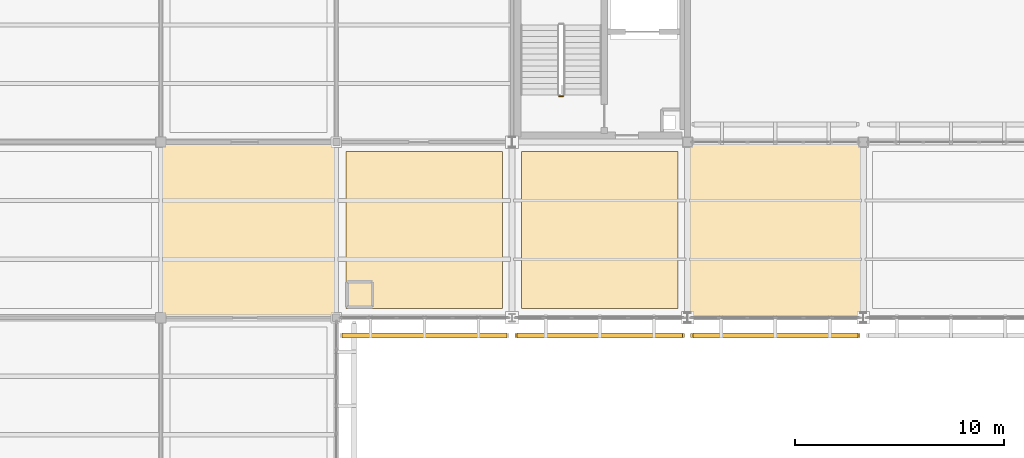
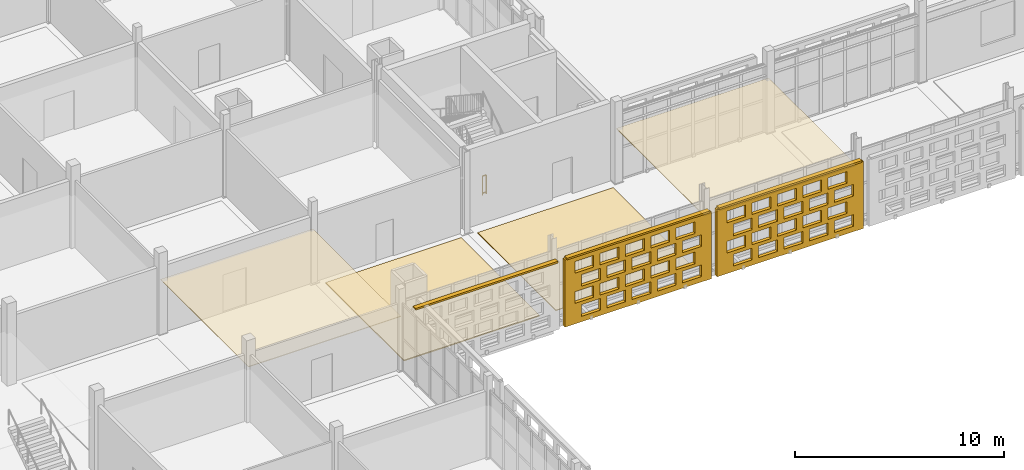
# One storey, part 160 of 203: 6 coverings, 3 shading devices, 1 railing, 40 openings.
"""IFC4 building model written with IfcOpenShell, lengths in metres."""

from ifc_helpers import new_model, si_unit, direction, frame, frame_2d, origin, origin_2d, place, context, subcontext, project, spatial, rectangle, circle, extrude, material, layer, layer_set, type_object, element, save


model = new_model("IFC4")

# Units and contexts
model_context = context("Model", 3, precision=1e-05, world=origin(), true_north=direction((0.0, 1.0)))
body_context = subcontext(model_context, "Body", "Model", "MODEL_VIEW")
ifc_project = project(units=[si_unit("LENGTHUNIT", "METRE"), si_unit("AREAUNIT", "SQUARE_METRE"), si_unit("VOLUMEUNIT", "CUBIC_METRE"), si_unit("PLANEANGLEUNIT", "RADIAN"), si_unit("MASSUNIT", "GRAM", prefix="KILO")], contexts=[model_context])

# Site, building, storey
site_placement = place(None, origin())
site = spatial("IfcSite", under=ifc_project, at=site_placement, CompositionType="ELEMENT")
building_placement = place(site_placement, origin())
building = spatial("IfcBuilding", under=site, at=building_placement, Name="Varnapada Polytechnic", CompositionType="ELEMENT")
storey_placement = place(building_placement, frame((0.0, 0.0, 4.800048828125)))
storey = spatial("IfcBuildingStorey", under=building, at=storey_placement, Name="L01", CompositionType="ELEMENT", Elevation=4.800048828125)

# Coverings
ifc_material_1 = material(Name="Anti-Static Raised Laboratory Flooring")
ifc_layer_1 = layer(ifc_material_1, 0.06005859375)
ifc_layer_set_1 = layer_set([ifc_layer_1], Name="Anti-Static Raised Laboratory Flooring")
covering_type_1 = type_object("IfcCoveringType", Name="Floor Finish FLR-02", PredefinedType="FLOORING", material=ifc_layer_set_1)
covering_1_placement = place(storey_placement, frame((46.199951171875, 88.199951171875, 0.0), z_axis=(0.0, 0.0, 1.0), x_axis=(1.0, 0.0, 0.0)))
element("IfcCovering", 1, at=covering_1_placement, inside=storey, type_object=covering_type_1, Name="L01 floor finish panel (6,11)", PredefinedType="FLOORING", context=body_context, shape_type="SweptSolid", body=[
    extrude(rectangle(XDim=7.5, YDim=7.5, at=origin_2d()), origin(), (0.0, 0.0, 1.0), 0.06005859375),
])
ifc_material_2 = material(Name="Acoustic Rubber Seminar Flooring")
ifc_layer_2 = layer(ifc_material_2, 0.0400390625)
ifc_layer_set_2 = layer_set([ifc_layer_2], Name="Acoustic Rubber Seminar Flooring")
covering_type_2 = type_object("IfcCoveringType", Name="Floor Finish FLR-06", PredefinedType="FLOORING", material=ifc_layer_set_2)
covering_2_placement = place(storey_placement, frame((54.60009765625, 88.199951171875, 0.0), z_axis=(0.0, 0.0, 1.0), x_axis=(1.0, 0.0, 0.0)))
element("IfcCovering", 2, at=covering_2_placement, inside=storey, type_object=covering_type_2, Name="L01 floor finish panel (7,11)", PredefinedType="FLOORING", context=body_context, shape_type="SweptSolid", body=[
    extrude(rectangle(XDim=7.5, YDim=7.5, at=origin_2d()), origin(), (0.0, 0.0, 1.0), 0.0400390625),
])

# Railing
ifc_material_3 = material(Name="Brushed Stainless Steel 316", Category="steel")
railing_type = type_object("IfcRailingType", Name="Stair Well Guard Rail SGR-01", PredefinedType="BALUSTRADE", material=ifc_material_3)
railing_placement = place(storey_placement, frame((52.85009765625, 94.60009765625, 0.0)))
element("IfcRailing", 3, at=railing_placement, inside=storey, type_object=railing_type, Name="L01 ST-4 stair guard 4", PredefinedType="BALUSTRADE", context=body_context, shape_type="SweptSolid", body=[
    extrude(circle(Radius=0.02392578125, at=origin_2d()), frame((0.0, 0.0, 1.09619140625), z_axis=(-1.0, 0.0, 0.0), x_axis=(0.0, -1.0, 0.0)), (0.0, 0.0, 1.0), 0.2001953125),
    extrude(circle(Radius=0.02392578125, at=origin_2d()), frame((0.0, 0.0, 0.10009765625), z_axis=(-1.0, 0.0, 0.0), x_axis=(0.0, -1.0, 0.0)), (0.0, 0.0, 1.0), 0.2001953125),
    extrude(circle(Radius=0.02099609375, at=origin_2d()), origin(), (0.0, 0.0, 1.0), 1.072021484375),
    extrude(circle(Radius=0.02099609375, at=origin_2d()), frame((-0.2001953125, 0.0, 0.0)), (0.0, 0.0, 1.0), 1.072021484375),
])

# Coverings
ifc_material_4 = material(Name="Mineral Fibre Acoustic Ceiling Tile")
ifc_layer_3 = layer(ifc_material_4, 0.0400390625)
ifc_layer_set_3 = layer_set([ifc_layer_3], Name="Mineral Fibre Acoustic Ceiling Tile")
covering_type_3 = type_object("IfcCoveringType", Name="Suspended Ceiling CLG-01", PredefinedType="CEILING", material=ifc_layer_set_3)
for number, where, z_axis, x_axis, name in (
    (4, (37.800048828125, 88.199951171875, 3.030029296875), (0.0, 0.0, 1.0), (1.0, 0.0, 0.0), "L01 suspended acoustic ceiling (5,11)"),
    (5, (63.0, 88.199951171875, 3.030029296875), (0.0, 0.0, 1.0), (1.0, 0.0, 0.0), "L01 suspended acoustic ceiling (8,11)"),
):
    element("IfcCovering", number, at=place(storey_placement, frame(where, z_axis=z_axis, x_axis=x_axis)), inside=storey, type_object=covering_type_3, Name=name, PredefinedType="CEILING", context=body_context, shape_type="SweptSolid", body=[
        extrude(rectangle(XDim=8.419921875, YDim=8.419921875, at=origin_2d()), origin(), (0.0, 0.0, 1.0), 0.0400390625),
    ])

# Covering, openings
ifc_material_5 = material(Name="Earth-toned architectural terracotta screen block", Category="masonry")
ifc_layer_4 = layer(ifc_material_5, 0.1201171875)
ifc_layer_set_4 = layer_set([ifc_layer_4], Name="Earth-toned architectural terracotta screen block")
covering_type_4 = type_object("IfcCoveringType", Name="Terracotta Screen Cladding CLD-01", PredefinedType="CLADDING", material=ifc_layer_set_4)
covering_3_placement = place(storey_placement, frame((58.64990234375, 83.14990234375, 0.0), z_axis=(0.0, 0.0, 1.0), x_axis=(-1.0, 0.0, 0.0)))
covering_3 = element("IfcCovering", 6, at=covering_3_placement, inside=storey, type_object=covering_type_4, Name="L01 perforated terracotta block screen (48)", PredefinedType="CLADDING", context=body_context, shape_type="SweptSolid", body=[
    extrude(rectangle(XDim=8.099853515625, YDim=0.179931640625, at=frame_2d((4.0498046875, 0.0))), origin(), (0.0, 0.0, 1.0), 3.919921875),
])
opening_1_placement = place(covering_3_placement, frame((0.550048828125, 0.0, 0.313720703125)))
element("IfcOpeningElement", 7, at=opening_1_placement, cuts=covering_3, Name="Screen perforation TBS-L01-047.1", PredefinedType="OPENING", context=body_context, shape_type="SweptSolid", body=[
    extrude(rectangle(XDim=1.0400390625, YDim=0.679931640625, at=frame_2d((0.52001953125, 0.33984375))), frame((0.0, 0.099853515625, 0.0), z_axis=(0.0, -1.0, 0.0), x_axis=(1.0, 0.0, 0.0)), (0.0, 0.0, 1.0), 0.199951171875),
])
opening_2_placement = place(covering_3_placement, frame((1.949951171875, 0.0, 0.313720703125)))
element("IfcOpeningElement", 8, at=opening_2_placement, cuts=covering_3, Name="Screen perforation TBS-L01-047.2", PredefinedType="OPENING", context=body_context, shape_type="SweptSolid", body=[
    extrude(rectangle(XDim=1.0400390625, YDim=0.679931640625, at=frame_2d((0.52001953125, 0.33984375))), frame((0.0, 0.099853515625, 0.0), z_axis=(0.0, -1.0, 0.0), x_axis=(1.0, 0.0, 0.0)), (0.0, 0.0, 1.0), 0.199951171875),
])
opening_3_placement = place(covering_3_placement, frame((3.35009765625, 0.0, 0.313720703125)))
element("IfcOpeningElement", 9, at=opening_3_placement, cuts=covering_3, Name="Screen perforation TBS-L01-047.3", PredefinedType="OPENING", context=body_context, shape_type="SweptSolid", body=[
    extrude(rectangle(XDim=1.0400390625, YDim=0.679931640625, at=frame_2d((0.52001953125, 0.33984375))), frame((0.0, 0.099853515625, 0.0), z_axis=(0.0, -1.0, 0.0), x_axis=(1.0, 0.0, 0.0)), (0.0, 0.0, 1.0), 0.199951171875),
])
opening_4_placement = place(covering_3_placement, frame((4.75, 0.0, 0.313720703125)))
element("IfcOpeningElement", 10, at=opening_4_placement, cuts=covering_3, Name="Screen perforation TBS-L01-047.4", PredefinedType="OPENING", context=body_context, shape_type="SweptSolid", body=[
    extrude(rectangle(XDim=1.0400390625, YDim=0.679931640625, at=frame_2d((0.52001953125, 0.33984375))), frame((0.0, 0.099853515625, 0.0), z_axis=(0.0, -1.0, 0.0), x_axis=(1.0, 0.0, 0.0)), (0.0, 0.0, 1.0), 0.199951171875),
])
opening_5_placement = place(covering_3_placement, frame((6.14990234375, 0.0, 0.313720703125)))
element("IfcOpeningElement", 11, at=opening_5_placement, cuts=covering_3, Name="Screen perforation TBS-L01-047.5", PredefinedType="OPENING", context=body_context, shape_type="SweptSolid", body=[
    extrude(rectangle(XDim=1.0400390625, YDim=0.679931640625, at=frame_2d((0.52001953125, 0.33984375))), frame((0.0, 0.099853515625, 0.0), z_axis=(0.0, -1.0, 0.0), x_axis=(1.0, 0.0, 0.0)), (0.0, 0.0, 1.0), 0.199951171875),
])
opening_6_placement = place(covering_3_placement, frame((0.909912109375, 0.0, 1.195556640625)))
element("IfcOpeningElement", 12, at=opening_6_placement, cuts=covering_3, Name="Screen perforation TBS-L01-047.6", PredefinedType="OPENING", context=body_context, shape_type="SweptSolid", body=[
    extrude(rectangle(XDim=1.0400390625, YDim=0.679931640625, at=frame_2d((0.52001953125, 0.33984375))), frame((0.0, 0.099853515625, 0.0), z_axis=(0.0, -1.0, 0.0), x_axis=(1.0, 0.0, 0.0)), (0.0, 0.0, 1.0), 0.199951171875),
])
opening_7_placement = place(covering_3_placement, frame((2.31005859375, 0.0, 1.195556640625)))
element("IfcOpeningElement", 13, at=opening_7_placement, cuts=covering_3, Name="Screen perforation TBS-L01-047.7", PredefinedType="OPENING", context=body_context, shape_type="SweptSolid", body=[
    extrude(rectangle(XDim=1.0400390625, YDim=0.679931640625, at=frame_2d((0.52001953125, 0.33984375))), frame((0.0, 0.099853515625, 0.0), z_axis=(0.0, -1.0, 0.0), x_axis=(1.0, 0.0, 0.0)), (0.0, 0.0, 1.0), 0.199951171875),
])
opening_8_placement = place(covering_3_placement, frame((3.7099609375, 0.0, 1.195556640625)))
element("IfcOpeningElement", 14, at=opening_8_placement, cuts=covering_3, Name="Screen perforation TBS-L01-047.8", PredefinedType="OPENING", context=body_context, shape_type="SweptSolid", body=[
    extrude(rectangle(XDim=1.0400390625, YDim=0.679931640625, at=frame_2d((0.52001953125, 0.33984375))), frame((0.0, 0.099853515625, 0.0), z_axis=(0.0, -1.0, 0.0), x_axis=(1.0, 0.0, 0.0)), (0.0, 0.0, 1.0), 0.199951171875),
])
opening_9_placement = place(covering_3_placement, frame((5.110107421875, 0.0, 1.195556640625)))
element("IfcOpeningElement", 15, at=opening_9_placement, cuts=covering_3, Name="Screen perforation TBS-L01-047.9", PredefinedType="OPENING", context=body_context, shape_type="SweptSolid", body=[
    extrude(rectangle(XDim=1.0400390625, YDim=0.679931640625, at=frame_2d((0.52001953125, 0.33984375))), frame((0.0, 0.099853515625, 0.0), z_axis=(0.0, -1.0, 0.0), x_axis=(1.0, 0.0, 0.0)), (0.0, 0.0, 1.0), 0.199951171875),
])
opening_10_placement = place(covering_3_placement, frame((6.510009765625, 0.0, 1.195556640625)))
element("IfcOpeningElement", 16, at=opening_10_placement, cuts=covering_3, Name="Screen perforation TBS-L01-047.10", PredefinedType="OPENING", context=body_context, shape_type="SweptSolid", body=[
    extrude(rectangle(XDim=1.0400390625, YDim=0.679931640625, at=frame_2d((0.52001953125, 0.33984375))), frame((0.0, 0.099853515625, 0.0), z_axis=(0.0, -1.0, 0.0), x_axis=(1.0, 0.0, 0.0)), (0.0, 0.0, 1.0), 0.199951171875),
])
opening_11_placement = place(covering_3_placement, frame((0.550048828125, 0.0, 2.07763671875)))
element("IfcOpeningElement", 17, at=opening_11_placement, cuts=covering_3, Name="Screen perforation TBS-L01-047.11", PredefinedType="OPENING", context=body_context, shape_type="SweptSolid", body=[
    extrude(rectangle(XDim=1.0400390625, YDim=0.679931640625, at=frame_2d((0.52001953125, 0.33984375))), frame((0.0, 0.099853515625, 0.0), z_axis=(0.0, -1.0, 0.0), x_axis=(1.0, 0.0, 0.0)), (0.0, 0.0, 1.0), 0.199951171875),
])
opening_12_placement = place(covering_3_placement, frame((1.949951171875, 0.0, 2.07763671875)))
element("IfcOpeningElement", 18, at=opening_12_placement, cuts=covering_3, Name="Screen perforation TBS-L01-047.12", PredefinedType="OPENING", context=body_context, shape_type="SweptSolid", body=[
    extrude(rectangle(XDim=1.0400390625, YDim=0.679931640625, at=frame_2d((0.52001953125, 0.33984375))), frame((0.0, 0.099853515625, 0.0), z_axis=(0.0, -1.0, 0.0), x_axis=(1.0, 0.0, 0.0)), (0.0, 0.0, 1.0), 0.199951171875),
])
opening_13_placement = place(covering_3_placement, frame((3.35009765625, 0.0, 2.07763671875)))
element("IfcOpeningElement", 19, at=opening_13_placement, cuts=covering_3, Name="Screen perforation TBS-L01-047.13", PredefinedType="OPENING", context=body_context, shape_type="SweptSolid", body=[
    extrude(rectangle(XDim=1.0400390625, YDim=0.679931640625, at=frame_2d((0.52001953125, 0.33984375))), frame((0.0, 0.099853515625, 0.0), z_axis=(0.0, -1.0, 0.0), x_axis=(1.0, 0.0, 0.0)), (0.0, 0.0, 1.0), 0.199951171875),
])
opening_14_placement = place(covering_3_placement, frame((4.75, 0.0, 2.07763671875)))
element("IfcOpeningElement", 20, at=opening_14_placement, cuts=covering_3, Name="Screen perforation TBS-L01-047.14", PredefinedType="OPENING", context=body_context, shape_type="SweptSolid", body=[
    extrude(rectangle(XDim=1.0400390625, YDim=0.679931640625, at=frame_2d((0.52001953125, 0.33984375))), frame((0.0, 0.099853515625, 0.0), z_axis=(0.0, -1.0, 0.0), x_axis=(1.0, 0.0, 0.0)), (0.0, 0.0, 1.0), 0.199951171875),
])
opening_15_placement = place(covering_3_placement, frame((6.14990234375, 0.0, 2.07763671875)))
element("IfcOpeningElement", 21, at=opening_15_placement, cuts=covering_3, Name="Screen perforation TBS-L01-047.15", PredefinedType="OPENING", context=body_context, shape_type="SweptSolid", body=[
    extrude(rectangle(XDim=1.0400390625, YDim=0.679931640625, at=frame_2d((0.52001953125, 0.33984375))), frame((0.0, 0.099853515625, 0.0), z_axis=(0.0, -1.0, 0.0), x_axis=(1.0, 0.0, 0.0)), (0.0, 0.0, 1.0), 0.199951171875),
])
opening_16_placement = place(covering_3_placement, frame((0.909912109375, 0.0, 2.959716796875)))
element("IfcOpeningElement", 22, at=opening_16_placement, cuts=covering_3, Name="Screen perforation TBS-L01-047.16", PredefinedType="OPENING", context=body_context, shape_type="SweptSolid", body=[
    extrude(rectangle(XDim=1.0400390625, YDim=0.679931640625, at=frame_2d((0.52001953125, 0.33984375))), frame((0.0, 0.099853515625, 0.0), z_axis=(0.0, -1.0, 0.0), x_axis=(1.0, 0.0, 0.0)), (0.0, 0.0, 1.0), 0.199951171875),
])
opening_17_placement = place(covering_3_placement, frame((2.31005859375, 0.0, 2.959716796875)))
element("IfcOpeningElement", 23, at=opening_17_placement, cuts=covering_3, Name="Screen perforation TBS-L01-047.17", PredefinedType="OPENING", context=body_context, shape_type="SweptSolid", body=[
    extrude(rectangle(XDim=1.0400390625, YDim=0.679931640625, at=frame_2d((0.52001953125, 0.33984375))), frame((0.0, 0.099853515625, 0.0), z_axis=(0.0, -1.0, 0.0), x_axis=(1.0, 0.0, 0.0)), (0.0, 0.0, 1.0), 0.199951171875),
])
opening_18_placement = place(covering_3_placement, frame((3.7099609375, 0.0, 2.959716796875)))
element("IfcOpeningElement", 24, at=opening_18_placement, cuts=covering_3, Name="Screen perforation TBS-L01-047.18", PredefinedType="OPENING", context=body_context, shape_type="SweptSolid", body=[
    extrude(rectangle(XDim=1.0400390625, YDim=0.679931640625, at=frame_2d((0.52001953125, 0.33984375))), frame((0.0, 0.099853515625, 0.0), z_axis=(0.0, -1.0, 0.0), x_axis=(1.0, 0.0, 0.0)), (0.0, 0.0, 1.0), 0.199951171875),
])
opening_19_placement = place(covering_3_placement, frame((5.110107421875, 0.0, 2.959716796875)))
element("IfcOpeningElement", 25, at=opening_19_placement, cuts=covering_3, Name="Screen perforation TBS-L01-047.19", PredefinedType="OPENING", context=body_context, shape_type="SweptSolid", body=[
    extrude(rectangle(XDim=1.0400390625, YDim=0.679931640625, at=frame_2d((0.52001953125, 0.33984375))), frame((0.0, 0.099853515625, 0.0), z_axis=(0.0, -1.0, 0.0), x_axis=(1.0, 0.0, 0.0)), (0.0, 0.0, 1.0), 0.199951171875),
])
opening_20_placement = place(covering_3_placement, frame((6.510009765625, 0.0, 2.959716796875)))
element("IfcOpeningElement", 26, at=opening_20_placement, cuts=covering_3, Name="Screen perforation TBS-L01-047.20", PredefinedType="OPENING", context=body_context, shape_type="SweptSolid", body=[
    extrude(rectangle(XDim=1.0400390625, YDim=0.679931640625, at=frame_2d((0.52001953125, 0.33984375))), frame((0.0, 0.099853515625, 0.0), z_axis=(0.0, -1.0, 0.0), x_axis=(1.0, 0.0, 0.0)), (0.0, 0.0, 1.0), 0.199951171875),
])

covering_4_placement = place(storey_placement, frame((67.050048828125, 83.14990234375, 0.0), z_axis=(0.0, 0.0, 1.0), x_axis=(-1.0, 0.0, 0.0)))
covering_4 = element("IfcCovering", 27, at=covering_4_placement, inside=storey, type_object=covering_type_4, Name="L01 perforated terracotta block screen (56)", PredefinedType="CLADDING", context=body_context, shape_type="SweptSolid", body=[
    extrude(rectangle(XDim=8.10009765625, YDim=0.179931640625, at=frame_2d((4.050048828125, 0.0))), origin(), (0.0, 0.0, 1.0), 3.919921875),
])
opening_21_placement = place(covering_4_placement, frame((0.550048828125, 0.0, 0.313720703125)))
element("IfcOpeningElement", 28, at=opening_21_placement, cuts=covering_4, Name="Screen perforation TBS-L01-055.1", PredefinedType="OPENING", context=body_context, shape_type="SweptSolid", body=[
    extrude(rectangle(XDim=1.0400390625, YDim=0.679931640625, at=frame_2d((0.52001953125, 0.33984375))), frame((0.0, 0.099853515625, 0.0), z_axis=(0.0, -1.0, 0.0), x_axis=(1.0, 0.0, 0.0)), (0.0, 0.0, 1.0), 0.199951171875),
])
opening_22_placement = place(covering_4_placement, frame((1.949951171875, 0.0, 0.313720703125)))
element("IfcOpeningElement", 29, at=opening_22_placement, cuts=covering_4, Name="Screen perforation TBS-L01-055.2", PredefinedType="OPENING", context=body_context, shape_type="SweptSolid", body=[
    extrude(rectangle(XDim=1.0400390625, YDim=0.679931640625, at=frame_2d((0.52001953125, 0.33984375))), frame((0.0, 0.099853515625, 0.0), z_axis=(0.0, -1.0, 0.0), x_axis=(1.0, 0.0, 0.0)), (0.0, 0.0, 1.0), 0.199951171875),
])
opening_23_placement = place(covering_4_placement, frame((3.35009765625, 0.0, 0.313720703125)))
element("IfcOpeningElement", 30, at=opening_23_placement, cuts=covering_4, Name="Screen perforation TBS-L01-055.3", PredefinedType="OPENING", context=body_context, shape_type="SweptSolid", body=[
    extrude(rectangle(XDim=1.0400390625, YDim=0.679931640625, at=frame_2d((0.52001953125, 0.33984375))), frame((0.0, 0.099853515625, 0.0), z_axis=(0.0, -1.0, 0.0), x_axis=(1.0, 0.0, 0.0)), (0.0, 0.0, 1.0), 0.199951171875),
])
opening_24_placement = place(covering_4_placement, frame((4.75, 0.0, 0.313720703125)))
element("IfcOpeningElement", 31, at=opening_24_placement, cuts=covering_4, Name="Screen perforation TBS-L01-055.4", PredefinedType="OPENING", context=body_context, shape_type="SweptSolid", body=[
    extrude(rectangle(XDim=1.0400390625, YDim=0.679931640625, at=frame_2d((0.52001953125, 0.33984375))), frame((0.0, 0.099853515625, 0.0), z_axis=(0.0, -1.0, 0.0), x_axis=(1.0, 0.0, 0.0)), (0.0, 0.0, 1.0), 0.199951171875),
])
opening_25_placement = place(covering_4_placement, frame((6.14990234375, 0.0, 0.313720703125)))
element("IfcOpeningElement", 32, at=opening_25_placement, cuts=covering_4, Name="Screen perforation TBS-L01-055.5", PredefinedType="OPENING", context=body_context, shape_type="SweptSolid", body=[
    extrude(rectangle(XDim=1.0400390625, YDim=0.679931640625, at=frame_2d((0.52001953125, 0.33984375))), frame((0.0, 0.099853515625, 0.0), z_axis=(0.0, -1.0, 0.0), x_axis=(1.0, 0.0, 0.0)), (0.0, 0.0, 1.0), 0.199951171875),
])
opening_26_placement = place(covering_4_placement, frame((0.909912109375, 0.0, 1.195556640625)))
element("IfcOpeningElement", 33, at=opening_26_placement, cuts=covering_4, Name="Screen perforation TBS-L01-055.6", PredefinedType="OPENING", context=body_context, shape_type="SweptSolid", body=[
    extrude(rectangle(XDim=1.0400390625, YDim=0.679931640625, at=frame_2d((0.52001953125, 0.33984375))), frame((0.0, 0.099853515625, 0.0), z_axis=(0.0, -1.0, 0.0), x_axis=(1.0, 0.0, 0.0)), (0.0, 0.0, 1.0), 0.199951171875),
])
opening_27_placement = place(covering_4_placement, frame((2.31005859375, 0.0, 1.195556640625)))
element("IfcOpeningElement", 34, at=opening_27_placement, cuts=covering_4, Name="Screen perforation TBS-L01-055.7", PredefinedType="OPENING", context=body_context, shape_type="SweptSolid", body=[
    extrude(rectangle(XDim=1.0400390625, YDim=0.679931640625, at=frame_2d((0.52001953125, 0.33984375))), frame((0.0, 0.099853515625, 0.0), z_axis=(0.0, -1.0, 0.0), x_axis=(1.0, 0.0, 0.0)), (0.0, 0.0, 1.0), 0.199951171875),
])
opening_28_placement = place(covering_4_placement, frame((3.7099609375, 0.0, 1.195556640625)))
element("IfcOpeningElement", 35, at=opening_28_placement, cuts=covering_4, Name="Screen perforation TBS-L01-055.8", PredefinedType="OPENING", context=body_context, shape_type="SweptSolid", body=[
    extrude(rectangle(XDim=1.0400390625, YDim=0.679931640625, at=frame_2d((0.52001953125, 0.33984375))), frame((0.0, 0.099853515625, 0.0), z_axis=(0.0, -1.0, 0.0), x_axis=(1.0, 0.0, 0.0)), (0.0, 0.0, 1.0), 0.199951171875),
])
opening_29_placement = place(covering_4_placement, frame((5.110107421875, 0.0, 1.195556640625)))
element("IfcOpeningElement", 36, at=opening_29_placement, cuts=covering_4, Name="Screen perforation TBS-L01-055.9", PredefinedType="OPENING", context=body_context, shape_type="SweptSolid", body=[
    extrude(rectangle(XDim=1.0400390625, YDim=0.679931640625, at=frame_2d((0.52001953125, 0.33984375))), frame((0.0, 0.099853515625, 0.0), z_axis=(0.0, -1.0, 0.0), x_axis=(1.0, 0.0, 0.0)), (0.0, 0.0, 1.0), 0.199951171875),
])
opening_30_placement = place(covering_4_placement, frame((6.510009765625, 0.0, 1.195556640625)))
element("IfcOpeningElement", 37, at=opening_30_placement, cuts=covering_4, Name="Screen perforation TBS-L01-055.10", PredefinedType="OPENING", context=body_context, shape_type="SweptSolid", body=[
    extrude(rectangle(XDim=1.0400390625, YDim=0.679931640625, at=frame_2d((0.52001953125, 0.33984375))), frame((0.0, 0.099853515625, 0.0), z_axis=(0.0, -1.0, 0.0), x_axis=(1.0, 0.0, 0.0)), (0.0, 0.0, 1.0), 0.199951171875),
])
opening_31_placement = place(covering_4_placement, frame((0.550048828125, 0.0, 2.07763671875)))
element("IfcOpeningElement", 38, at=opening_31_placement, cuts=covering_4, Name="Screen perforation TBS-L01-055.11", PredefinedType="OPENING", context=body_context, shape_type="SweptSolid", body=[
    extrude(rectangle(XDim=1.0400390625, YDim=0.679931640625, at=frame_2d((0.52001953125, 0.33984375))), frame((0.0, 0.099853515625, 0.0), z_axis=(0.0, -1.0, 0.0), x_axis=(1.0, 0.0, 0.0)), (0.0, 0.0, 1.0), 0.199951171875),
])
opening_32_placement = place(covering_4_placement, frame((1.949951171875, 0.0, 2.07763671875)))
element("IfcOpeningElement", 39, at=opening_32_placement, cuts=covering_4, Name="Screen perforation TBS-L01-055.12", PredefinedType="OPENING", context=body_context, shape_type="SweptSolid", body=[
    extrude(rectangle(XDim=1.0400390625, YDim=0.679931640625, at=frame_2d((0.52001953125, 0.33984375))), frame((0.0, 0.099853515625, 0.0), z_axis=(0.0, -1.0, 0.0), x_axis=(1.0, 0.0, 0.0)), (0.0, 0.0, 1.0), 0.199951171875),
])
opening_33_placement = place(covering_4_placement, frame((3.35009765625, 0.0, 2.07763671875)))
element("IfcOpeningElement", 40, at=opening_33_placement, cuts=covering_4, Name="Screen perforation TBS-L01-055.13", PredefinedType="OPENING", context=body_context, shape_type="SweptSolid", body=[
    extrude(rectangle(XDim=1.0400390625, YDim=0.679931640625, at=frame_2d((0.52001953125, 0.33984375))), frame((0.0, 0.099853515625, 0.0), z_axis=(0.0, -1.0, 0.0), x_axis=(1.0, 0.0, 0.0)), (0.0, 0.0, 1.0), 0.199951171875),
])
opening_34_placement = place(covering_4_placement, frame((4.75, 0.0, 2.07763671875)))
element("IfcOpeningElement", 41, at=opening_34_placement, cuts=covering_4, Name="Screen perforation TBS-L01-055.14", PredefinedType="OPENING", context=body_context, shape_type="SweptSolid", body=[
    extrude(rectangle(XDim=1.0400390625, YDim=0.679931640625, at=frame_2d((0.52001953125, 0.33984375))), frame((0.0, 0.099853515625, 0.0), z_axis=(0.0, -1.0, 0.0), x_axis=(1.0, 0.0, 0.0)), (0.0, 0.0, 1.0), 0.199951171875),
])
opening_35_placement = place(covering_4_placement, frame((6.14990234375, 0.0, 2.07763671875)))
element("IfcOpeningElement", 42, at=opening_35_placement, cuts=covering_4, Name="Screen perforation TBS-L01-055.15", PredefinedType="OPENING", context=body_context, shape_type="SweptSolid", body=[
    extrude(rectangle(XDim=1.0400390625, YDim=0.679931640625, at=frame_2d((0.52001953125, 0.33984375))), frame((0.0, 0.099853515625, 0.0), z_axis=(0.0, -1.0, 0.0), x_axis=(1.0, 0.0, 0.0)), (0.0, 0.0, 1.0), 0.199951171875),
])
opening_36_placement = place(covering_4_placement, frame((0.909912109375, 0.0, 2.959716796875)))
element("IfcOpeningElement", 43, at=opening_36_placement, cuts=covering_4, Name="Screen perforation TBS-L01-055.16", PredefinedType="OPENING", context=body_context, shape_type="SweptSolid", body=[
    extrude(rectangle(XDim=1.0400390625, YDim=0.679931640625, at=frame_2d((0.52001953125, 0.33984375))), frame((0.0, 0.099853515625, 0.0), z_axis=(0.0, -1.0, 0.0), x_axis=(1.0, 0.0, 0.0)), (0.0, 0.0, 1.0), 0.199951171875),
])
opening_37_placement = place(covering_4_placement, frame((2.31005859375, 0.0, 2.959716796875)))
element("IfcOpeningElement", 44, at=opening_37_placement, cuts=covering_4, Name="Screen perforation TBS-L01-055.17", PredefinedType="OPENING", context=body_context, shape_type="SweptSolid", body=[
    extrude(rectangle(XDim=1.0400390625, YDim=0.679931640625, at=frame_2d((0.52001953125, 0.33984375))), frame((0.0, 0.099853515625, 0.0), z_axis=(0.0, -1.0, 0.0), x_axis=(1.0, 0.0, 0.0)), (0.0, 0.0, 1.0), 0.199951171875),
])
opening_38_placement = place(covering_4_placement, frame((3.7099609375, 0.0, 2.959716796875)))
element("IfcOpeningElement", 45, at=opening_38_placement, cuts=covering_4, Name="Screen perforation TBS-L01-055.18", PredefinedType="OPENING", context=body_context, shape_type="SweptSolid", body=[
    extrude(rectangle(XDim=1.0400390625, YDim=0.679931640625, at=frame_2d((0.52001953125, 0.33984375))), frame((0.0, 0.099853515625, 0.0), z_axis=(0.0, -1.0, 0.0), x_axis=(1.0, 0.0, 0.0)), (0.0, 0.0, 1.0), 0.199951171875),
])
opening_39_placement = place(covering_4_placement, frame((5.110107421875, 0.0, 2.959716796875)))
element("IfcOpeningElement", 46, at=opening_39_placement, cuts=covering_4, Name="Screen perforation TBS-L01-055.19", PredefinedType="OPENING", context=body_context, shape_type="SweptSolid", body=[
    extrude(rectangle(XDim=1.0400390625, YDim=0.679931640625, at=frame_2d((0.52001953125, 0.33984375))), frame((0.0, 0.099853515625, 0.0), z_axis=(0.0, -1.0, 0.0), x_axis=(1.0, 0.0, 0.0)), (0.0, 0.0, 1.0), 0.199951171875),
])
opening_40_placement = place(covering_4_placement, frame((6.510009765625, 0.0, 2.959716796875)))
element("IfcOpeningElement", 47, at=opening_40_placement, cuts=covering_4, Name="Screen perforation TBS-L01-055.20", PredefinedType="OPENING", context=body_context, shape_type="SweptSolid", body=[
    extrude(rectangle(XDim=1.0400390625, YDim=0.679931640625, at=frame_2d((0.52001953125, 0.33984375))), frame((0.0, 0.099853515625, 0.0), z_axis=(0.0, -1.0, 0.0), x_axis=(1.0, 0.0, 0.0)), (0.0, 0.0, 1.0), 0.199951171875),
])

# Shading devices
ifc_layer_5 = layer(ifc_material_5, 0.179931640625)
ifc_layer_set_5 = layer_set([ifc_layer_5], Name="Earth-toned architectural terracotta screen block")
shading_device_type = type_object("IfcShadingDeviceType", Name="Terracotta Screen SCR-02", PredefinedType="USERDEFINED", material=ifc_layer_set_5)
shading_device_placement = place(storey_placement, frame((46.215087890625, 83.14990234375, 3.909912109375), z_axis=(0.0, 0.0, 1.0), x_axis=(-1.0, 0.0, 0.0)))
element("IfcShadingDevice", 48, at=shading_device_placement, inside=storey, type_object=shading_device_type, Name="L01 perforated terracotta screen hood 122", ObjectType="SCREEN", PredefinedType="USERDEFINED", context=body_context, shape_type="SweptSolid", body=[
    extrude(rectangle(XDim=7.8701171875, YDim=0.239990234375, at=origin_2d()), origin(), (0.0, 0.0, 1.0), 0.10009765625),
])
for number, where, z_axis, x_axis, name in (
    (49, (54.60009765625, 83.14990234375, 3.909912109375), (0.0, 0.0, 1.0), (-1.0, 0.0, 0.0), "L01 perforated terracotta screen hood 129"),
    (50, (63.0, 83.14990234375, 3.909912109375), (0.0, 0.0, 1.0), (-1.0, 0.0, 0.0), "L01 perforated terracotta screen hood 135"),
):
    element("IfcShadingDevice", number, at=place(storey_placement, frame(where, z_axis=z_axis, x_axis=x_axis)), inside=storey, type_object=shading_device_type, Name=name, ObjectType="SCREEN", PredefinedType="USERDEFINED", context=body_context, shape_type="SweptSolid", body=[
        extrude(rectangle(XDim=7.89990234375, YDim=0.239990234375, at=origin_2d()), origin(), (0.0, 0.0, 1.0), 0.10009765625),
    ])

save(model, "model.ifc")
